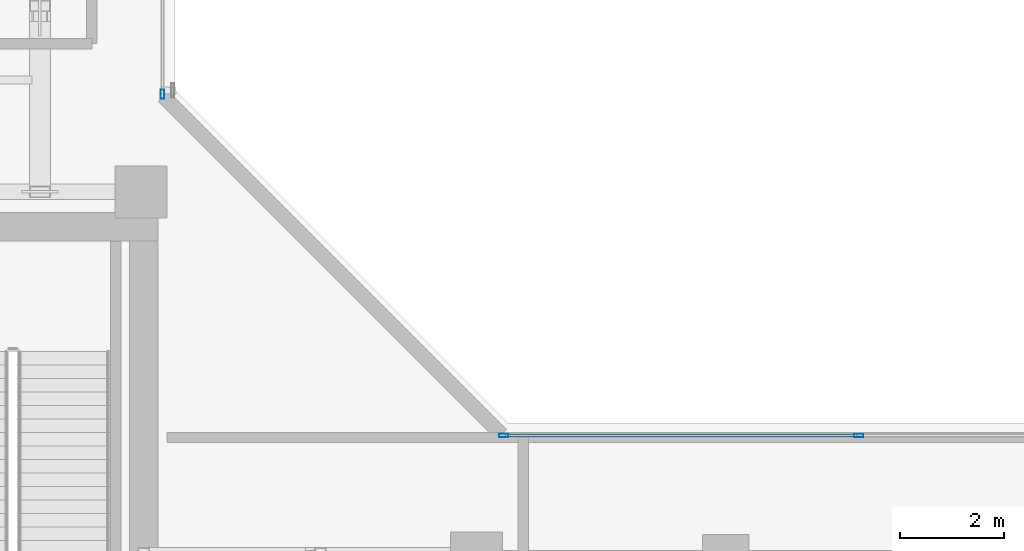
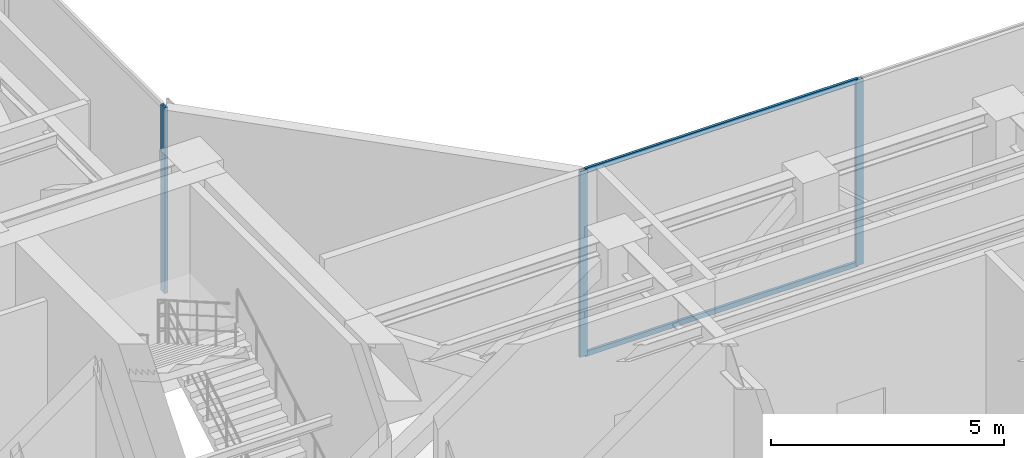
# One storey, part 13 of 31: 5 members, 2 elements without a shape of their own.
"""IFC4 building model written with IfcOpenShell, lengths in metres."""

from ifc_helpers import new_model, si_unit, direction, frame, origin, origin_with_axes, origin_2d, place, context, subcontext, project, spatial, hollow_rectangle, extrude, source, transform, mapped, material, layer, layer_set, material_profile, profile_set, type_object, element, aggregate, save


model = new_model("IFC4")

# Units and contexts
model_context = context("Model", 3, precision=1e-05, world=origin(), true_north=direction((0.0, 1.0)))
body_context = subcontext(model_context, "Body", "Model", "MODEL_VIEW")
ifc_project = project(units=[si_unit("LENGTHUNIT", "METRE"), si_unit("AREAUNIT", "SQUARE_METRE"), si_unit("VOLUMEUNIT", "CUBIC_METRE"), si_unit("PLANEANGLEUNIT", "RADIAN"), si_unit("MASSUNIT", "GRAM", prefix="KILO")], contexts=[model_context])

# Site, building, storey
site_placement = place(None, origin())
site = spatial("IfcSite", under=ifc_project, at=site_placement, CompositionType="ELEMENT")
building_placement = place(site_placement, origin())
building = spatial("IfcBuilding", under=site, at=building_placement, Name="Kolvaren Waterfront Exchange", CompositionType="ELEMENT")
storey_placement = place(building_placement, frame((0.0, 0.0, 257.699951171875)))
storey = spatial("IfcBuildingStorey", under=building, at=storey_placement, Name="L66", CompositionType="ELEMENT", Elevation=257.699951171875)

# Curtain wall, member
ifc_material_1 = material(Name="Anodised dark bronze spandrel aluminium", Category="aluminium")
ifc_layer = layer(ifc_material_1, 0.219970703125, Name="Anodised dark bronze spandrel aluminium")
ifc_layer_set = layer_set([ifc_layer], Name="Anodised dark bronze spandrel aluminium")
curtain_wall_type = type_object("IfcCurtainWallType", Name="ARC-CW-SYS6", PredefinedType="USERDEFINED", material=ifc_layer_set)
curtain_wall_1_placement = place(storey_placement, origin())
curtain_wall_1 = element("IfcCurtainWall", 1, at=curtain_wall_1_placement, inside=storey, type_object=curtain_wall_type, Name="L66 stick curtain wall CW6 (CW-L66-NE)", ObjectType="STICK CURTAIN WALL", PredefinedType="USERDEFINED")
ifc_material_2 = material(Name="Anodised bronze aluminium 6063-T6", Category="aluminium")
ifc_material_profile_1 = material_profile(ifc_material_2, hollow_rectangle(XDim=0.074951171875, YDim=0.179931640625, WallThickness=0.00439453125, at=origin_2d()), Name="ALU-MUL-180x75x4.5")
ifc_profile_set_1 = profile_set([ifc_material_profile_1], Name="Anodised bronze aluminium 6063-T6")
member_type_1 = type_object("IfcMemberType", Name="ARC-CWM-180", PredefinedType="MULLION", material=ifc_profile_set_1)
shared_shape_1 = source(origin_with_axes(), body_context, "Body", "SweptSolid", [
    extrude(hollow_rectangle(XDim=0.074951171875, YDim=0.179931640625, WallThickness=0.00439453125, at=origin_2d()), origin(), (0.0, 0.0, 1.0), 4.860107421875),
])
member_1_placement = place(storey_placement, frame((21.159912109375, 26.327392578125, 0.0), z_axis=(0.0, 0.0, 1.0), x_axis=(-1.0, 0.0, 0.0)))
member_1 = element("IfcMember", 2, at=member_1_placement, type_object=member_type_1, Name="CW6 mullion 1", PredefinedType="MULLION", context=body_context, shape_type="MappedRepresentation", body=[
    mapped(shared_shape_1, transform((0.0, 0.0, 0.0), x_axis=(1.0, 0.0, 0.0), y_axis=(0.0, 1.0, 0.0), z_axis=(0.0, 0.0, 1.0), scale=1.0)),
])
aggregate(curtain_wall_1, [member_1])

# Curtain wall, members
curtain_wall_2_placement = place(storey_placement, origin())
curtain_wall_2 = element("IfcCurtainWall", 3, at=curtain_wall_2_placement, inside=storey, type_object=curtain_wall_type, Name="L66 stick curtain wall CW6 (CW-L66-EN)", ObjectType="STICK CURTAIN WALL", PredefinedType="USERDEFINED")
member_2_placement = place(storey_placement, frame((27.7275390625, 19.760009765625, 0.0), z_axis=(0.0, 0.0, 1.0), x_axis=(0.0, 1.0, 0.0)))
member_2 = element("IfcMember", 4, at=member_2_placement, type_object=member_type_1, Name="CW6 mullion 1", PredefinedType="MULLION", context=body_context, shape_type="MappedRepresentation", body=[
    mapped(shared_shape_1, transform((0.0, 0.0, 0.0), x_axis=(1.0, 0.0, 0.0), y_axis=(0.0, 1.0, 0.0), z_axis=(0.0, 0.0, 1.0), scale=1.0)),
])
member_3_placement = place(storey_placement, frame((34.56005859375, 19.760009765625, 0.0), z_axis=(0.0, 0.0, 1.0), x_axis=(0.0, 1.0, 0.0)))
member_3 = element("IfcMember", 5, at=member_3_placement, type_object=member_type_1, Name="CW6 mullion 2", PredefinedType="MULLION", context=body_context, shape_type="MappedRepresentation", body=[
    mapped(shared_shape_1, transform((0.0, 0.0, 0.0), x_axis=(1.0, 0.0, 0.0), y_axis=(0.0, 1.0, 0.0), z_axis=(0.0, 0.0, 1.0), scale=1.0)),
])
ifc_material_profile_2 = material_profile(ifc_material_2, hollow_rectangle(XDim=0.06494140625, YDim=0.1298828125, WallThickness=0.00390625, at=origin_2d()), Name="ALU-TRN-130x65x4")
ifc_profile_set_2 = profile_set([ifc_material_profile_2], Name="Anodised bronze aluminium 6063-T6")
member_type_2 = type_object("IfcMemberType", Name="ARC-CWT-130", PredefinedType="USERDEFINED", material=ifc_profile_set_2)
shared_shape_2 = source(origin_with_axes(), body_context, "Body", "SweptSolid", [
    extrude(hollow_rectangle(XDim=0.06494140625, YDim=0.1298828125, WallThickness=0.00390625, at=origin_2d()), origin(), (0.0, 0.0, 1.0), 6.757568359375),
])
member_4_placement = place(storey_placement, frame((27.764892578125, 19.760009765625, 0.032470703125), z_axis=(1.0, 0.0, 0.0), x_axis=(0.0, 1.0, 0.0)))
member_4 = element("IfcMember", 6, at=member_4_placement, type_object=member_type_2, Name="CW6 transom 1.1", ObjectType="TRANSOM", PredefinedType="USERDEFINED", context=body_context, shape_type="MappedRepresentation", body=[
    mapped(shared_shape_2, transform((0.0, 0.0, 0.0), x_axis=(1.0, 0.0, 0.0), y_axis=(0.0, 1.0, 0.0), z_axis=(0.0, 0.0, 1.0), scale=1.0)),
])
member_5_placement = place(storey_placement, frame((27.764892578125, 19.760009765625, 4.82763671875), z_axis=(1.0, 0.0, 0.0), x_axis=(0.0, 1.0, 0.0)))
member_5 = element("IfcMember", 7, at=member_5_placement, type_object=member_type_2, Name="CW6 transom 1.2", ObjectType="TRANSOM", PredefinedType="USERDEFINED", context=body_context, shape_type="MappedRepresentation", body=[
    mapped(shared_shape_2, transform((0.0, 0.0, 0.0), x_axis=(1.0, 0.0, 0.0), y_axis=(0.0, 1.0, 0.0), z_axis=(0.0, 0.0, 1.0), scale=1.0)),
])
aggregate(curtain_wall_2, [member_2, member_3, member_4, member_5])

save(model, "model.ifc")
